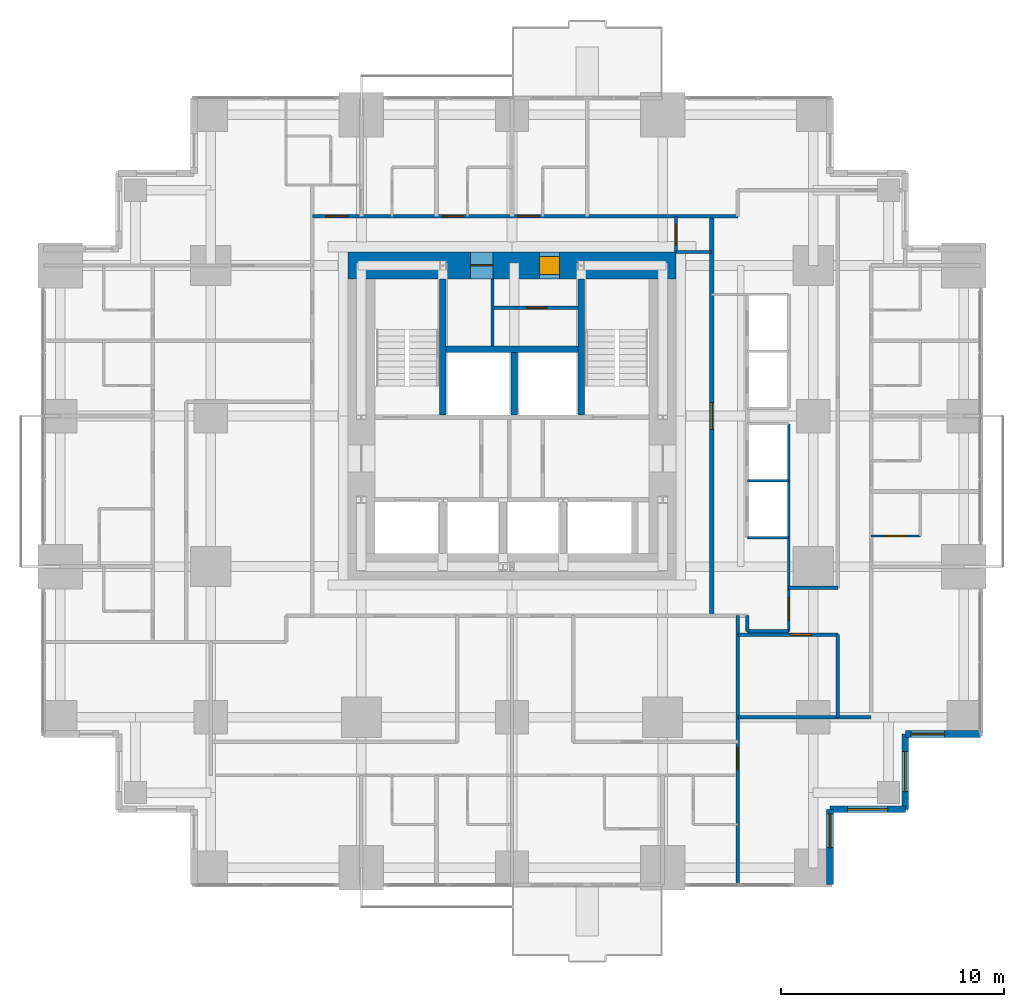
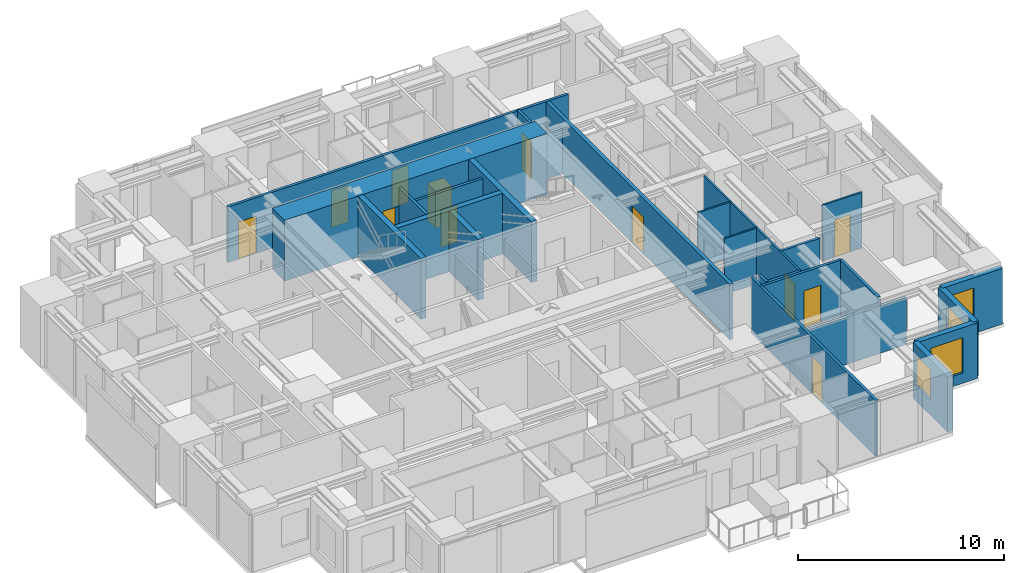
# One storey, part 9 of 12: 26 walls, 12 doors, 4 windows, 16 openings.
"""IFC4 building model written with IfcOpenShell, lengths in metres."""

from ifc_helpers import new_model, si_unit, direction, frame, frame_2d, origin, place, context, subcontext, project, spatial, rectangle, extrude, material, layer, layer_set, type_object, element, fill, save


model = new_model("IFC4")

# Units and contexts
model_context = context("Model", 3, precision=1e-05, world=origin(), true_north=direction((0.0, 1.0)))
body_context = subcontext(model_context, "Body", "Model", "MODEL_VIEW")
ifc_project = project(units=[si_unit("LENGTHUNIT", "METRE"), si_unit("AREAUNIT", "SQUARE_METRE"), si_unit("VOLUMEUNIT", "CUBIC_METRE"), si_unit("PLANEANGLEUNIT", "RADIAN"), si_unit("MASSUNIT", "GRAM", prefix="KILO")], contexts=[model_context])

# Site, building, storey
site_placement = place(None, origin())
site = spatial("IfcSite", under=ifc_project, at=site_placement, CompositionType="ELEMENT")
building_placement = place(site_placement, origin())
building = spatial("IfcBuilding", under=site, at=building_placement, Name="Nyansa Garden Tower", CompositionType="ELEMENT")
storey_placement = place(building_placement, frame((0.0, 0.0, 134.10009765625)))
storey = spatial("IfcBuildingStorey", under=building, at=storey_placement, Name="L36", CompositionType="ELEMENT", Elevation=134.10009765625)

# Walls
ifc_material_1 = material(Name="Concrete C70/85", Category="concrete")
ifc_layer_1 = layer(ifc_material_1, 0.300048828125)
ifc_layer_set_1 = layer_set([ifc_layer_1], Name="Core inner wall CI300")
wall_type_1 = type_object("IfcWallType", Name="Core inner wall CI300", PredefinedType="SHEAR", material=ifc_layer_set_1)
for number, where, z_axis, x_axis, name in (
    (1, (17.14990234375, 20.300048828125, 0.0), (0.0, 0.0, 1.0), (0.0, 1.0, 0.0), "Core inner wall L36"),
    (2, (23.35009765625, 20.300048828125, 0.0), (0.0, 0.0, 1.0), (0.0, 1.0, 0.0), "Core inner wall L36"),
):
    element("IfcWall", number, at=place(storey_placement, frame(where, z_axis=z_axis, x_axis=x_axis)), inside=storey, type_object=wall_type_1, Name=name, PredefinedType="SHEAR", context=body_context, shape_type="SweptSolid", body=[
        extrude(rectangle(XDim=6.099853515625, YDim=0.300048828125, at=frame_2d((3.0498046875, 0.0))), origin(), (0.0, 0.0, 1.0), 3.599853515625),
    ])
wall_1_placement = place(storey_placement, frame((20.35009765625, 20.300048828125, 0.0), z_axis=(0.0, 0.0, 1.0), x_axis=(0.0, 1.0, 0.0)))
element("IfcWall", 3, at=wall_1_placement, inside=storey, type_object=wall_type_1, Name="Core inner wall L36", PredefinedType="SHEAR", context=body_context, shape_type="SweptSolid", body=[
    extrude(rectangle(XDim=2.800048828125, YDim=0.300048828125, at=frame_2d((1.39990234375, 0.0))), origin(), (0.0, 0.0, 1.0), 3.599853515625),
])
wall_2_placement = place(storey_placement, frame((17.300048828125, 23.25, 0.0), z_axis=(0.0, 0.0, 1.0), x_axis=(1.0, 0.0, 0.0)))
element("IfcWall", 4, at=wall_2_placement, inside=storey, type_object=wall_type_1, Name="Core inner wall L36", PredefinedType="SHEAR", context=body_context, shape_type="SweptSolid", body=[
    extrude(rectangle(XDim=5.89990234375, YDim=0.300048828125, at=frame_2d((2.949951171875, 0.0))), origin(), (0.0, 0.0, 1.0), 3.599853515625),
])

# Wall, openings, doors
ifc_material_2 = material(Name="Concrete C80/95", Category="concrete")
ifc_layer_2 = layer(ifc_material_2, 1.199951171875)
ifc_layer_set_2 = layer_set([ifc_layer_2], Name="Core wall CW1200")
wall_type_2 = type_object("IfcWallType", Name="Core wall CW1200", PredefinedType="SHEAR", material=ifc_layer_set_2)
wall_3_placement = place(storey_placement, frame((27.60009765625, 27.0, 0.0), z_axis=(0.0, 0.0, 1.0), x_axis=(-1.0, 0.0, 0.0)))
wall_3 = element("IfcWall", 5, at=wall_3_placement, inside=storey, type_object=wall_type_2, Name="Core wall N L36", PredefinedType="SHEAR", context=body_context, shape_type="SweptSolid", body=[
    extrude(rectangle(XDim=14.7001953125, YDim=1.199951171875, at=frame_2d((7.35009765625, 0.0))), origin(), (0.0, 0.0, 1.0), 3.599853515625),
])
opening_1_placement = place(wall_3_placement, frame((5.22509765625, 0.0, 0.0)))
opening_1 = element("IfcOpeningElement", 6, at=opening_1_placement, cuts=wall_3, Name="Opening D15", PredefinedType="OPENING", context=body_context, shape_type="SweptSolid", body=[
    extrude(rectangle(XDim=0.89990234375, YDim=2.199951171875, at=frame_2d((0.449951171875, 1.10009765625))), frame((0.0, 0.60986328125, 0.0), z_axis=(0.0, -1.0, 0.0), x_axis=(1.0, 0.0, 0.0)), (0.0, 0.0, 1.0), 1.219970703125),
])
opening_2_placement = place(wall_3_placement, frame((8.199951171875, 0.0, 0.0)))
opening_2 = element("IfcOpeningElement", 7, at=opening_2_placement, cuts=wall_3, Name="Opening D07", PredefinedType="OPENING", context=body_context, shape_type="SweptSolid", body=[
    extrude(rectangle(XDim=1.0, YDim=2.199951171875, at=frame_2d((0.5, 1.10009765625))), frame((0.0, 0.60986328125, 0.0), z_axis=(0.0, -1.0, 0.0), x_axis=(1.0, 0.0, 0.0)), (0.0, 0.0, 1.0), 1.219970703125),
])
ifc_material_3 = material(Name="Timber flush door, 60 minute fire resisting, self-closing", Category="wood")
door_type_1 = type_object("IfcDoorType", Name="Core room door D15 900x2200", OperationType="SINGLE_SWING_LEFT", PredefinedType="DOOR", material=ifc_material_3)
door_1_placement = place(opening_1_placement, origin())
door_1 = element("IfcDoor", 8, at=door_1_placement, inside=storey, type_object=door_type_1, Name="Core room door", OperationType="SINGLE_SWING_LEFT", OverallHeight=2.199951171875, OverallWidth=0.89990234375, PredefinedType="DOOR", context=body_context, shape_type="SweptSolid", body=[
    extrude(rectangle(XDim=0.89990234375, YDim=2.199951171875, at=frame_2d((0.449951171875, 1.10009765625))), frame((0.0, 0.39990234375, 0.0), z_axis=(0.0, -1.0, 0.0), x_axis=(1.0, 0.0, 0.0)), (0.0, 0.0, 1.0), 0.800048828125),
])
fill(opening_1, door_1)
ifc_material_4 = material(Name="Steel door, 120 minute fire resisting", Category="steel")
door_type_2 = type_object("IfcDoorType", Name="Riser door D07 1000x2200", OperationType="SINGLE_SWING_LEFT", PredefinedType="DOOR", material=ifc_material_4)
door_2_placement = place(opening_2_placement, origin())
door_2 = element("IfcDoor", 9, at=door_2_placement, inside=storey, type_object=door_type_2, Name="Riser and refuse room door", OperationType="SINGLE_SWING_LEFT", OverallHeight=2.199951171875, OverallWidth=1.0, PredefinedType="DOOR", context=body_context, shape_type="SweptSolid", body=[
    extrude(rectangle(XDim=1.0, YDim=2.199951171875, at=frame_2d((0.5, 1.10009765625))), frame((0.0, 0.02490234375, 0.0), z_axis=(0.0, -1.0, 0.0), x_axis=(1.0, 0.0, 0.0)), (0.0, 0.0, 1.0), 0.050048828125),
])
fill(opening_2, door_2)

# Wall, opening, door
ifc_material_5 = material(Name="Concrete blockwork, plastered, 60 minute fire resisting", Category="masonry")
ifc_layer_3 = layer(ifc_material_5, 0.199951171875)
ifc_layer_set_3 = layer_set([ifc_layer_3], Name="Corridor wall FW200")
wall_type_3 = type_object("IfcWallType", Name="Corridor wall FW200", PredefinedType="PARTITIONING", material=ifc_layer_set_3)
wall_4_placement = place(storey_placement, frame((29.199951171875, 11.300048828125, 0.0), z_axis=(0.0, 0.0, 1.0), x_axis=(0.0, 1.0, 0.0)))
wall_4 = element("IfcWall", 10, at=wall_4_placement, inside=storey, type_object=wall_type_3, Name="Corridor wall", PredefinedType="PARTITIONING", context=body_context, shape_type="SweptSolid", body=[
    extrude(rectangle(XDim=17.89990234375, YDim=0.199951171875, at=frame_2d((8.949951171875, 0.0))), origin(), (0.0, 0.0, 1.0), 3.2998046875),
])
opening_3_placement = place(wall_4_placement, frame((8.35009765625, 0.0, 0.0)))
opening_3 = element("IfcOpeningElement", 11, at=opening_3_placement, cuts=wall_4, Name="Opening D06", PredefinedType="OPENING", context=body_context, shape_type="SweptSolid", body=[
    extrude(rectangle(XDim=1.199951171875, YDim=2.199951171875, at=frame_2d((0.60009765625, 1.10009765625))), frame((0.0, 0.10986328125, 0.0), z_axis=(0.0, -1.0, 0.0), x_axis=(1.0, 0.0, 0.0)), (0.0, 0.0, 1.0), 0.219970703125),
])
ifc_material_6 = material(Name="Steel door, 120 minute fire resisting", Category="steel")
door_type_3 = type_object("IfcDoorType", Name="Lobby door D06 1200x2200", OperationType="DOUBLE_DOOR_SINGLE_SWING", PredefinedType="DOOR", material=ifc_material_6)
door_3_placement = place(opening_3_placement, origin())
door_3 = element("IfcDoor", 12, at=door_3_placement, inside=storey, type_object=door_type_3, Name="Low-rise lift lobby door", OperationType="DOUBLE_DOOR_SINGLE_SWING", OverallHeight=2.199951171875, OverallWidth=1.199951171875, PredefinedType="DOOR", context=body_context, shape_type="SweptSolid", body=[
    extrude(rectangle(XDim=1.199951171875, YDim=2.199951171875, at=frame_2d((0.60009765625, 1.10009765625))), frame((0.0, 0.02490234375, 0.0), z_axis=(0.0, -1.0, 0.0), x_axis=(1.0, 0.0, 0.0)), (0.0, 0.0, 1.0), 0.050048828125),
])
fill(opening_3, door_3)

# Walls
ifc_material_7 = material(Name="Steel-stud shaft wall, two layers fire-rated board, EI 120", Category="steel")
ifc_layer_4 = layer(ifc_material_7, 0.10009765625)
ifc_layer_set_4 = layer_set([ifc_layer_4], Name="Lift shaft wall SW100")
wall_type_4 = type_object("IfcWallType", Name="Lift shaft wall SW100", PredefinedType="SHEAR", material=ifc_layer_set_4)
for number, where, z_axis, x_axis, name in (
    (13, (30.800048828125, 14.800048828125, 0.0), (0.0, 0.0, 1.0), (1.0, 0.0, 0.0), "Lift shaft wall"),
    (14, (30.800048828125, 17.35009765625, 0.0), (0.0, 0.0, 1.0), (1.0, 0.0, 0.0), "Lift shaft wall"),
):
    element("IfcWall", number, at=place(storey_placement, frame(where, z_axis=z_axis, x_axis=x_axis)), inside=storey, type_object=wall_type_4, Name=name, PredefinedType="SHEAR", context=body_context, shape_type="SweptSolid", body=[
        extrude(rectangle(XDim=1.849853515625, YDim=0.10009765625, at=frame_2d((0.9248046875, 0.0))), origin(), (0.0, 0.0, 1.0), 3.2998046875),
    ])

# Wall, opening, door
wall_5_placement = place(storey_placement, frame((32.64990234375, 10.60009765625, 0.0), z_axis=(0.0, 0.0, 1.0), x_axis=(0.0, 1.0, 0.0)))
wall_5 = element("IfcWall", 15, at=wall_5_placement, inside=storey, type_object=wall_type_4, Name="Lift shaft wall", PredefinedType="SHEAR", context=body_context, shape_type="SweptSolid", body=[
    extrude(rectangle(XDim=9.2998046875, YDim=0.10009765625, at=frame_2d((4.64990234375, 0.0))), origin(), (0.0, 0.0, 1.0), 3.2998046875),
])
opening_4_placement = place(wall_5_placement, frame((0.5, 0.0, 0.0)))
opening_4 = element("IfcOpeningElement", 16, at=opening_4_placement, cuts=wall_5, Name="Opening D03", PredefinedType="OPENING", context=body_context, shape_type="SweptSolid", body=[
    extrude(rectangle(XDim=1.0, YDim=2.199951171875, at=frame_2d((0.5, 1.10009765625))), frame((0.0, 0.06005859375, 0.0), z_axis=(0.0, -1.0, 0.0), x_axis=(1.0, 0.0, 0.0)), (0.0, 0.0, 1.0), 0.1201171875),
])
ifc_material_8 = material(Name="Timber flush door, 60 minute fire resisting", Category="wood")
door_type_4 = type_object("IfcDoorType", Name="Cluster entrance door D03 1000x2200", OperationType="SINGLE_SWING_LEFT", PredefinedType="DOOR", material=ifc_material_8)
door_4_placement = place(opening_4_placement, origin())
door_4 = element("IfcDoor", 17, at=door_4_placement, inside=storey, type_object=door_type_4, Name="Door L36-041", OperationType="SINGLE_SWING_LEFT", OverallHeight=2.199951171875, OverallWidth=1.0, PredefinedType="DOOR", context=body_context, shape_type="SweptSolid", body=[
    extrude(rectangle(XDim=1.0, YDim=2.199951171875, at=frame_2d((0.5, 1.10009765625))), frame((0.0, 0.02490234375, 0.0), z_axis=(0.0, -1.0, 0.0), x_axis=(1.0, 0.0, 0.0)), (0.0, 0.0, 1.0), 0.050048828125),
])
fill(opening_4, door_4)

# Wall
ifc_material_9 = material(Name="Blockwork, plastered both sides", Category="masonry")
ifc_layer_5 = layer(ifc_material_9, 0.14990234375)
ifc_layer_set_5 = layer_set([ifc_layer_5], Name="Partition PW150")
wall_type_5 = type_object("IfcWallType", Name="Partition PW150", PredefinedType="PARTITIONING", material=ifc_layer_set_5)
wall_6_placement = place(storey_placement, frame((19.375, 23.39990234375, 0.0), z_axis=(0.0, 0.0, 1.0), x_axis=(0.0, 1.0, 0.0)))
element("IfcWall", 18, at=wall_6_placement, inside=storey, type_object=wall_type_5, Name="Partition", PredefinedType="PARTITIONING", context=body_context, shape_type="SweptSolid", body=[
    extrude(rectangle(XDim=3.0, YDim=0.14990234375, at=frame_2d((1.5, 0.0))), origin(), (0.0, 0.0, 1.0), 3.2998046875),
])

# Wall, opening, door
wall_7_placement = place(storey_placement, frame((19.449951171875, 25.10009765625, 0.0), z_axis=(0.0, 0.0, 1.0), x_axis=(1.0, 0.0, 0.0)))
wall_7 = element("IfcWall", 19, at=wall_7_placement, inside=storey, type_object=wall_type_5, Name="Partition", PredefinedType="PARTITIONING", context=body_context, shape_type="SweptSolid", body=[
    extrude(rectangle(XDim=3.75, YDim=0.14990234375, at=frame_2d((1.875, 0.0))), origin(), (0.0, 0.0, 1.0), 3.2998046875),
])
opening_5_placement = place(wall_7_placement, frame((1.449951171875, 0.0, 0.0)))
opening_5 = element("IfcOpeningElement", 20, at=opening_5_placement, cuts=wall_7, Name="Opening D02", PredefinedType="OPENING", context=body_context, shape_type="SweptSolid", body=[
    extrude(rectangle(XDim=0.89990234375, YDim=2.199951171875, at=frame_2d((0.449951171875, 1.10009765625))), frame((0.0, 0.0849609375, 0.0), z_axis=(0.0, -1.0, 0.0), x_axis=(1.0, 0.0, 0.0)), (0.0, 0.0, 1.0), 0.169921875),
])
ifc_material_10 = material(Name="Timber flush door", Category="wood")
door_type_5 = type_object("IfcDoorType", Name="En-suite door D02 900x2200", OperationType="SINGLE_SWING_RIGHT", PredefinedType="DOOR", material=ifc_material_10)
door_5_placement = place(opening_5_placement, origin())
door_5 = element("IfcDoor", 21, at=door_5_placement, inside=storey, type_object=door_type_5, Name="Staff WC door", OperationType="SINGLE_SWING_RIGHT", OverallHeight=2.199951171875, OverallWidth=0.89990234375, PredefinedType="DOOR", context=body_context, shape_type="SweptSolid", body=[
    extrude(rectangle(XDim=0.89990234375, YDim=2.199951171875, at=frame_2d((0.449951171875, 1.10009765625))), frame((0.0, 0.02490234375, 0.0), z_axis=(0.0, -1.0, 0.0), x_axis=(1.0, 0.0, 0.0)), (0.0, 0.0, 1.0), 0.050048828125),
])
fill(opening_5, door_5)

# Wall, openings, doors
wall_8_placement = place(storey_placement, frame((11.300048828125, 29.199951171875, 0.0), z_axis=(0.0, 0.0, 1.0), x_axis=(1.0, 0.0, 0.0)))
wall_8 = element("IfcWall", 22, at=wall_8_placement, inside=storey, type_object=wall_type_5, Name="Partition", PredefinedType="PARTITIONING", context=body_context, shape_type="SweptSolid", body=[
    extrude(rectangle(XDim=19.074951171875, YDim=0.14990234375, at=frame_2d((9.53759765625, 0.0))), origin(), (0.0, 0.0, 1.0), 3.2998046875),
])
opening_6_placement = place(wall_8_placement, frame((5.824951171875, 0.0, 0.0)))
opening_6 = element("IfcOpeningElement", 23, at=opening_6_placement, cuts=wall_8, Name="Opening D14", PredefinedType="OPENING", context=body_context, shape_type="SweptSolid", body=[
    extrude(rectangle(XDim=0.949951171875, YDim=2.199951171875, at=frame_2d((0.47509765625, 1.10009765625))), frame((0.0, 0.0849609375, 0.0), z_axis=(0.0, -1.0, 0.0), x_axis=(1.0, 0.0, 0.0)), (0.0, 0.0, 1.0), 0.169921875),
])
opening_7_placement = place(wall_8_placement, frame((9.199951171875, 0.0, 0.0)))
opening_7 = element("IfcOpeningElement", 24, at=opening_7_placement, cuts=wall_8, Name="Opening D14", PredefinedType="OPENING", context=body_context, shape_type="SweptSolid", body=[
    extrude(rectangle(XDim=0.949951171875, YDim=2.199951171875, at=frame_2d((0.47509765625, 1.10009765625))), frame((0.0, 0.0849609375, 0.0), z_axis=(0.0, -1.0, 0.0), x_axis=(1.0, 0.0, 0.0)), (0.0, 0.0, 1.0), 0.169921875),
])
opening_8_placement = place(wall_8_placement, frame((0.60009765625, 0.0, 0.0)))
opening_8 = element("IfcOpeningElement", 25, at=opening_8_placement, cuts=wall_8, Name="Opening D03", PredefinedType="OPENING", context=body_context, shape_type="SweptSolid", body=[
    extrude(rectangle(XDim=1.0, YDim=2.199951171875, at=frame_2d((0.5, 1.10009765625))), frame((0.0, 0.0849609375, 0.0), z_axis=(0.0, -1.0, 0.0), x_axis=(1.0, 0.0, 0.0)), (0.0, 0.0, 1.0), 0.169921875),
])
door_6_placement = place(opening_8_placement, origin())
door_6 = element("IfcDoor", 26, at=door_6_placement, inside=storey, type_object=door_type_4, Name="Door L36-053", OperationType="SINGLE_SWING_LEFT", OverallHeight=2.199951171875, OverallWidth=1.0, PredefinedType="DOOR", context=body_context, shape_type="SweptSolid", body=[
    extrude(rectangle(XDim=1.0, YDim=2.199951171875, at=frame_2d((0.5, 1.10009765625))), frame((0.0, 0.02490234375, 0.0), z_axis=(0.0, -1.0, 0.0), x_axis=(1.0, 0.0, 0.0)), (0.0, 0.0, 1.0), 0.050048828125),
])
fill(opening_8, door_6)
ifc_material_11 = material(Name="Timber flush door, 60 minute fire resisting, self-closing", Category="wood")
door_type_6 = type_object("IfcDoorType", Name="Studio entrance door D14 950x2200", OperationType="SINGLE_SWING_LEFT", PredefinedType="DOOR", material=ifc_material_11)
door_7_placement = place(opening_6_placement, origin())
door_7 = element("IfcDoor", 27, at=door_7_placement, inside=storey, type_object=door_type_6, Name="Door L36-049", OperationType="SINGLE_SWING_LEFT", OverallHeight=2.199951171875, OverallWidth=0.949951171875, PredefinedType="DOOR", context=body_context, shape_type="SweptSolid", body=[
    extrude(rectangle(XDim=0.949951171875, YDim=2.199951171875, at=frame_2d((0.47509765625, 1.10009765625))), frame((0.0, 0.02490234375, 0.0), z_axis=(0.0, -1.0, 0.0), x_axis=(1.0, 0.0, 0.0)), (0.0, 0.0, 1.0), 0.050048828125),
])
fill(opening_6, door_7)
door_8_placement = place(opening_7_placement, origin())
door_8 = element("IfcDoor", 28, at=door_8_placement, inside=storey, type_object=door_type_6, Name="Door L36-051", OperationType="SINGLE_SWING_LEFT", OverallHeight=2.199951171875, OverallWidth=0.949951171875, PredefinedType="DOOR", context=body_context, shape_type="SweptSolid", body=[
    extrude(rectangle(XDim=0.949951171875, YDim=2.199951171875, at=frame_2d((0.47509765625, 1.10009765625))), frame((0.0, 0.02490234375, 0.0), z_axis=(0.0, -1.0, 0.0), x_axis=(1.0, 0.0, 0.0)), (0.0, 0.0, 1.0), 0.050048828125),
])
fill(opening_7, door_8)

# Wall, opening, door
wall_9_placement = place(storey_placement, frame((27.60009765625, 27.60009765625, 0.0), z_axis=(0.0, 0.0, 1.0), x_axis=(0.0, 1.0, 0.0)))
wall_9 = element("IfcWall", 29, at=wall_9_placement, inside=storey, type_object=wall_type_5, Name="Partition", PredefinedType="PARTITIONING", context=body_context, shape_type="SweptSolid", body=[
    extrude(rectangle(XDim=1.599853515625, YDim=0.14990234375, at=frame_2d((0.7998046875, 0.0))), origin(), (0.0, 0.0, 1.0), 3.2998046875),
])
opening_9_placement = place(wall_9_placement, frame((0.300048828125, 0.0, 0.0)))
opening_9 = element("IfcOpeningElement", 30, at=opening_9_placement, cuts=wall_9, Name="Opening D01", PredefinedType="OPENING", context=body_context, shape_type="SweptSolid", body=[
    extrude(rectangle(XDim=0.949951171875, YDim=2.199951171875, at=frame_2d((0.47509765625, 1.10009765625))), frame((0.0, 0.0849609375, 0.0), z_axis=(0.0, -1.0, 0.0), x_axis=(1.0, 0.0, 0.0)), (0.0, 0.0, 1.0), 0.169921875),
])
ifc_material_12 = material(Name="Timber flush door, 30 minute fire resisting", Category="wood")
door_type_7 = type_object("IfcDoorType", Name="Bedroom door D01 950x2200", OperationType="SINGLE_SWING_LEFT", PredefinedType="DOOR", material=ifc_material_12)
door_9_placement = place(opening_9_placement, origin())
door_9 = element("IfcDoor", 31, at=door_9_placement, inside=storey, type_object=door_type_7, Name="Door L36-018", OperationType="SINGLE_SWING_LEFT", OverallHeight=2.199951171875, OverallWidth=0.949951171875, PredefinedType="DOOR", context=body_context, shape_type="SweptSolid", body=[
    extrude(rectangle(XDim=0.949951171875, YDim=2.199951171875, at=frame_2d((0.47509765625, 1.10009765625))), frame((0.0, 0.02490234375, 0.0), z_axis=(0.0, -1.0, 0.0), x_axis=(1.0, 0.0, 0.0)), (0.0, 0.0, 1.0), 0.050048828125),
])
fill(opening_9, door_9)

# Wall
wall_10_placement = place(storey_placement, frame((27.60009765625, 27.60009765625, 0.0), z_axis=(0.0, 0.0, 1.0), x_axis=(1.0, 0.0, 0.0)))
element("IfcWall", 32, at=wall_10_placement, inside=storey, type_object=wall_type_5, Name="Partition", PredefinedType="PARTITIONING", context=body_context, shape_type="SweptSolid", body=[
    extrude(rectangle(XDim=1.599853515625, YDim=0.14990234375, at=frame_2d((0.7998046875, 0.0))), origin(), (0.0, 0.0, 1.0), 2.699951171875),
])

# Wall, opening, door
wall_11_placement = place(storey_placement, frame((30.375, -0.73388671875, 0.0), z_axis=(0.0, 0.0, 1.0), x_axis=(0.0, 1.0, 0.0)))
wall_11 = element("IfcWall", 33, at=wall_11_placement, inside=storey, type_object=wall_type_5, Name="Partition", PredefinedType="PARTITIONING", context=body_context, shape_type="SweptSolid", body=[
    extrude(rectangle(XDim=12.033935546875, YDim=0.14990234375, at=frame_2d((6.01708984375, 0.0))), origin(), (0.0, 0.0, 1.0), 3.2998046875),
])
opening_10_placement = place(wall_11_placement, frame((5.134033203125, 0.0, 0.0)))
opening_10 = element("IfcOpeningElement", 34, at=opening_10_placement, cuts=wall_11, Name="Opening D03", PredefinedType="OPENING", context=body_context, shape_type="SweptSolid", body=[
    extrude(rectangle(XDim=1.0, YDim=2.199951171875, at=frame_2d((0.5, 1.10009765625))), frame((0.0, 0.0849609375, 0.0), z_axis=(0.0, -1.0, 0.0), x_axis=(1.0, 0.0, 0.0)), (0.0, 0.0, 1.0), 0.169921875),
])
door_10_placement = place(opening_10_placement, origin())
door_10 = element("IfcDoor", 35, at=door_10_placement, inside=storey, type_object=door_type_4, Name="Door L36-032", OperationType="SINGLE_SWING_LEFT", OverallHeight=2.199951171875, OverallWidth=1.0, PredefinedType="DOOR", context=body_context, shape_type="SweptSolid", body=[
    extrude(rectangle(XDim=1.0, YDim=2.199951171875, at=frame_2d((0.5, 1.10009765625))), frame((0.0, 0.02490234375, 0.0), z_axis=(0.0, -1.0, 0.0), x_axis=(1.0, 0.0, 0.0)), (0.0, 0.0, 1.0), 0.050048828125),
])
fill(opening_10, door_10)

# Wall
wall_12_placement = place(storey_placement, frame((30.375, 6.75, 0.0), z_axis=(0.0, 0.0, 1.0), x_axis=(1.0, 0.0, 0.0)))
element("IfcWall", 36, at=wall_12_placement, inside=storey, type_object=wall_type_5, Name="Partition", PredefinedType="PARTITIONING", context=body_context, shape_type="SweptSolid", body=[
    extrude(rectangle(XDim=5.97509765625, YDim=0.14990234375, at=frame_2d((2.987548828125, 0.0))), origin(), (0.0, 0.0, 1.0), 2.802001953125),
])

# Wall, opening, door
wall_13_placement = place(storey_placement, frame((30.375, 10.449951171875, 0.0), z_axis=(0.0, 0.0, 1.0), x_axis=(1.0, 0.0, 0.0)))
wall_13 = element("IfcWall", 37, at=wall_13_placement, inside=storey, type_object=wall_type_5, Name="Partition", PredefinedType="PARTITIONING", context=body_context, shape_type="SweptSolid", body=[
    extrude(rectangle(XDim=4.47509765625, YDim=0.14990234375, at=frame_2d((2.237548828125, 0.0))), origin(), (0.0, 0.0, 1.0), 3.2998046875),
])
opening_11_placement = place(wall_13_placement, frame((2.35009765625, 0.0, 0.0)))
opening_11 = element("IfcOpeningElement", 38, at=opening_11_placement, cuts=wall_13, Name="Opening D01", PredefinedType="OPENING", context=body_context, shape_type="SweptSolid", body=[
    extrude(rectangle(XDim=0.949951171875, YDim=2.199951171875, at=frame_2d((0.47509765625, 1.10009765625))), frame((0.0, 0.0849609375, 0.0), z_axis=(0.0, -1.0, 0.0), x_axis=(1.0, 0.0, 0.0)), (0.0, 0.0, 1.0), 0.169921875),
])
door_11_placement = place(opening_11_placement, origin())
door_11 = element("IfcDoor", 39, at=door_11_placement, inside=storey, type_object=door_type_7, Name="Door L36-043", OperationType="SINGLE_SWING_LEFT", OverallHeight=2.199951171875, OverallWidth=0.949951171875, PredefinedType="DOOR", context=body_context, shape_type="SweptSolid", body=[
    extrude(rectangle(XDim=0.949951171875, YDim=2.199951171875, at=frame_2d((0.47509765625, 1.10009765625))), frame((0.0, 0.02490234375, 0.0), z_axis=(0.0, -1.0, 0.0), x_axis=(1.0, 0.0, 0.0)), (0.0, 0.0, 1.0), 0.050048828125),
])
fill(opening_11, door_11)

# Walls
wall_14_placement = place(storey_placement, frame((30.800048828125, 10.60009765625, 0.0), z_axis=(0.0, 0.0, 1.0), x_axis=(0.0, 1.0, 0.0)))
element("IfcWall", 40, at=wall_14_placement, inside=storey, type_object=wall_type_5, Name="Partition", PredefinedType="PARTITIONING", context=body_context, shape_type="SweptSolid", body=[
    extrude(rectangle(XDim=0.699951171875, YDim=0.14990234375, at=frame_2d((0.35009765625, 0.0))), origin(), (0.0, 0.0, 1.0), 3.2998046875),
])
wall_15_placement = place(storey_placement, frame((30.800048828125, 10.60009765625, 0.0), z_axis=(0.0, 0.0, 1.0), x_axis=(1.0, 0.0, 0.0)))
element("IfcWall", 41, at=wall_15_placement, inside=storey, type_object=wall_type_5, Name="Partition", PredefinedType="PARTITIONING", context=body_context, shape_type="SweptSolid", body=[
    extrude(rectangle(XDim=1.849853515625, YDim=0.14990234375, at=frame_2d((0.9248046875, 0.0))), origin(), (0.0, 0.0, 1.0), 3.2998046875),
])
wall_16_placement = place(storey_placement, frame((32.64990234375, 12.550048828125, 0.0), z_axis=(0.0, 0.0, 1.0), x_axis=(1.0, 0.0, 0.0)))
element("IfcWall", 42, at=wall_16_placement, inside=storey, type_object=wall_type_5, Name="Partition", PredefinedType="PARTITIONING", context=body_context, shape_type="SweptSolid", body=[
    extrude(rectangle(XDim=2.2001953125, YDim=0.14990234375, at=frame_2d((1.10009765625, 0.0))), origin(), (0.0, 0.0, 1.0), 3.2998046875),
])
wall_17_placement = place(storey_placement, frame((34.85009765625, 6.75, 0.0), z_axis=(0.0, 0.0, 1.0), x_axis=(0.0, 1.0, 0.0)))
element("IfcWall", 43, at=wall_17_placement, inside=storey, type_object=wall_type_5, Name="Partition", PredefinedType="PARTITIONING", context=body_context, shape_type="SweptSolid", body=[
    extrude(rectangle(XDim=3.699951171875, YDim=0.14990234375, at=frame_2d((1.85009765625, 0.0))), origin(), (0.0, 0.0, 1.0), 3.2998046875),
])

# Wall, opening, window
ifc_material_13 = material(Name="Turquoise glazed tile on concrete blockwork", Category="masonry")
ifc_layer_6 = layer(ifc_material_13, 0.300048828125)
ifc_layer_set_6 = layer_set([ifc_layer_6], Name="Tiled corner wall TW300")
wall_type_6 = type_object("IfcWallType", Name="Tiled corner wall TW300", PredefinedType="SOLIDWALL", material=ifc_layer_set_6)
wall_18_placement = place(storey_placement, frame((34.5, -0.75, 0.0), z_axis=(0.0, 0.0, 1.0), x_axis=(0.0, 1.0, 0.0)))
wall_18 = element("IfcWall", 44, at=wall_18_placement, inside=storey, type_object=wall_type_6, Name="Tiled corner wall L36", PredefinedType="SOLIDWALL", context=body_context, shape_type="SweptSolid", body=[
    extrude(rectangle(XDim=3.375, YDim=0.300048828125, at=frame_2d((1.6875, 0.0))), origin(), (0.0, 0.0, 1.0), 3.2998046875),
])
opening_12_placement = place(wall_18_placement, frame((1.657470703125, 0.0, 0.89990234375)))
opening_12 = element("IfcOpeningElement", 45, at=opening_12_placement, cuts=wall_18, Name="Opening W1", PredefinedType="OPENING", context=body_context, shape_type="SweptSolid", body=[
    extrude(rectangle(XDim=1.5, YDim=1.800048828125, at=frame_2d((0.75, 0.89990234375))), frame((0.0, 0.159912109375, 0.0), z_axis=(0.0, -1.0, 0.0), x_axis=(1.0, 0.0, 0.0)), (0.0, 0.0, 1.0), 0.320068359375),
])
ifc_material_14 = material(Name="Black aluminium frame, dark tinted double glazing", Category="aluminium")
window_type_1 = type_object("IfcWindowType", Name="Window W1 1500x1800", PartitioningType="SINGLE_PANEL", PredefinedType="WINDOW", material=ifc_material_14)
window_1_placement = place(opening_12_placement, origin())
window_1 = element("IfcWindow", 46, at=window_1_placement, inside=storey, type_object=window_type_1, Name="Corner window L36", OverallHeight=1.800048828125, OverallWidth=1.5, PartitioningType="SINGLE_PANEL", PredefinedType="WINDOW", context=body_context, shape_type="SweptSolid", body=[
    extrude(rectangle(XDim=1.5, YDim=1.800048828125, at=frame_2d((0.75, 0.89990234375))), frame((0.0, 0.030029296875, 0.0), z_axis=(0.0, -1.0, 0.0), x_axis=(1.0, 0.0, 0.0)), (0.0, 0.0, 1.0), 0.06005859375),
])
fill(opening_12, window_1)

wall_19_placement = place(storey_placement, frame((34.5, 2.625, 0.0), z_axis=(0.0, 0.0, 1.0), x_axis=(1.0, 0.0, 0.0)))
wall_19 = element("IfcWall", 47, at=wall_19_placement, inside=storey, type_object=wall_type_6, Name="Tiled corner wall L36", PredefinedType="SOLIDWALL", context=body_context, shape_type="SweptSolid", body=[
    extrude(rectangle(XDim=3.375, YDim=0.300048828125, at=frame_2d((1.6875, 0.0))), origin(), (0.0, 0.0, 1.0), 3.2998046875),
])
opening_13_placement = place(wall_19_placement, frame((0.78759765625, 0.0, 0.60009765625)))
opening_13 = element("IfcOpeningElement", 48, at=opening_13_placement, cuts=wall_19, Name="Opening W2", PredefinedType="OPENING", context=body_context, shape_type="SweptSolid", body=[
    extrude(rectangle(XDim=1.800048828125, YDim=2.10009765625, at=frame_2d((0.89990234375, 1.050048828125))), frame((0.0, 0.159912109375, 0.0), z_axis=(0.0, -1.0, 0.0), x_axis=(1.0, 0.0, 0.0)), (0.0, 0.0, 1.0), 0.320068359375),
])
ifc_material_15 = material(Name="Black aluminium frame, dark tinted double glazing", Category="aluminium")
window_type_2 = type_object("IfcWindowType", Name="Window W2 1800x2100", PartitioningType="SINGLE_PANEL", PredefinedType="WINDOW", material=ifc_material_15)
window_2_placement = place(opening_13_placement, origin())
window_2 = element("IfcWindow", 49, at=window_2_placement, inside=storey, type_object=window_type_2, Name="Corner window L36", OverallHeight=2.10009765625, OverallWidth=1.800048828125, PartitioningType="SINGLE_PANEL", PredefinedType="WINDOW", context=body_context, shape_type="SweptSolid", body=[
    extrude(rectangle(XDim=1.800048828125, YDim=2.10009765625, at=frame_2d((0.89990234375, 1.050048828125))), frame((0.0, 0.030029296875, 0.0), z_axis=(0.0, -1.0, 0.0), x_axis=(1.0, 0.0, 0.0)), (0.0, 0.0, 1.0), 0.06005859375),
])
fill(opening_13, window_2)

wall_20_placement = place(storey_placement, frame((37.875, 2.625, 0.0), z_axis=(0.0, 0.0, 1.0), x_axis=(0.0, 1.0, 0.0)))
wall_20 = element("IfcWall", 50, at=wall_20_placement, inside=storey, type_object=wall_type_6, Name="Tiled corner wall L36", PredefinedType="SOLIDWALL", context=body_context, shape_type="SweptSolid", body=[
    extrude(rectangle(XDim=3.375, YDim=0.300048828125, at=frame_2d((1.6875, 0.0))), origin(), (0.0, 0.0, 1.0), 3.2998046875),
])
opening_14_placement = place(wall_20_placement, frame((0.78759765625, 0.0, 0.60009765625)))
opening_14 = element("IfcOpeningElement", 51, at=opening_14_placement, cuts=wall_20, Name="Opening W2", PredefinedType="OPENING", context=body_context, shape_type="SweptSolid", body=[
    extrude(rectangle(XDim=1.800048828125, YDim=2.10009765625, at=frame_2d((0.89990234375, 1.050048828125))), frame((0.0, 0.159912109375, 0.0), z_axis=(0.0, -1.0, 0.0), x_axis=(1.0, 0.0, 0.0)), (0.0, 0.0, 1.0), 0.320068359375),
])
window_3_placement = place(opening_14_placement, origin())
window_3 = element("IfcWindow", 52, at=window_3_placement, inside=storey, type_object=window_type_2, Name="Corner window L36", OverallHeight=2.10009765625, OverallWidth=1.800048828125, PartitioningType="SINGLE_PANEL", PredefinedType="WINDOW", context=body_context, shape_type="SweptSolid", body=[
    extrude(rectangle(XDim=1.800048828125, YDim=2.10009765625, at=frame_2d((0.89990234375, 1.050048828125))), frame((0.0, 0.030029296875, 0.0), z_axis=(0.0, -1.0, 0.0), x_axis=(1.0, 0.0, 0.0)), (0.0, 0.0, 1.0), 0.06005859375),
])
fill(opening_14, window_3)

wall_21_placement = place(storey_placement, frame((37.875, 6.0, 0.0), z_axis=(0.0, 0.0, 1.0), x_axis=(1.0, 0.0, 0.0)))
wall_21 = element("IfcWall", 53, at=wall_21_placement, inside=storey, type_object=wall_type_6, Name="Tiled corner wall L36", PredefinedType="SOLIDWALL", context=body_context, shape_type="SweptSolid", body=[
    extrude(rectangle(XDim=3.375, YDim=0.300048828125, at=frame_2d((1.6875, 0.0))), origin(), (0.0, 0.0, 1.0), 3.2998046875),
])
opening_15_placement = place(wall_21_placement, frame((0.267578125, 0.0, 0.89990234375)))
opening_15 = element("IfcOpeningElement", 54, at=opening_15_placement, cuts=wall_21, Name="Opening W1", PredefinedType="OPENING", context=body_context, shape_type="SweptSolid", body=[
    extrude(rectangle(XDim=1.5, YDim=1.800048828125, at=frame_2d((0.75, 0.89990234375))), frame((0.0, 0.159912109375, 0.0), z_axis=(0.0, -1.0, 0.0), x_axis=(1.0, 0.0, 0.0)), (0.0, 0.0, 1.0), 0.320068359375),
])
window_4_placement = place(opening_15_placement, origin())
window_4 = element("IfcWindow", 55, at=window_4_placement, inside=storey, type_object=window_type_1, Name="Corner window L36", OverallHeight=1.800048828125, OverallWidth=1.5, PartitioningType="SINGLE_PANEL", PredefinedType="WINDOW", context=body_context, shape_type="SweptSolid", body=[
    extrude(rectangle(XDim=1.5, YDim=1.800048828125, at=frame_2d((0.75, 0.89990234375))), frame((0.0, 0.030029296875, 0.0), z_axis=(0.0, -1.0, 0.0), x_axis=(1.0, 0.0, 0.0)), (0.0, 0.0, 1.0), 0.06005859375),
])
fill(opening_15, window_4)

# Wall, opening, door
ifc_material_16 = material(Name="Moisture resistant board on steel studs, tiled", Category="steel")
ifc_layer_7 = layer(ifc_material_16, 0.10009765625)
ifc_layer_set_7 = layer_set([ifc_layer_7], Name="Wet wall PW100")
wall_type_7 = type_object("IfcWallType", Name="Wet wall PW100", PredefinedType="PARTITIONING", material=ifc_layer_set_7)
wall_22_placement = place(storey_placement, frame((36.35009765625, 14.875, 0.0), z_axis=(0.0, 0.0, 1.0), x_axis=(1.0, 0.0, 0.0)))
wall_22 = element("IfcWall", 56, at=wall_22_placement, inside=storey, type_object=wall_type_7, Name="Wet wall", PredefinedType="PARTITIONING", context=body_context, shape_type="SweptSolid", body=[
    extrude(rectangle(XDim=2.199951171875, YDim=0.10009765625, at=frame_2d((1.10009765625, 0.0))), origin(), (0.0, 0.0, 1.0), 3.2998046875),
])
opening_16_placement = place(wall_22_placement, frame((0.64990234375, 0.0, 0.0)))
opening_16 = element("IfcOpeningElement", 57, at=opening_16_placement, cuts=wall_22, Name="Opening D02", PredefinedType="OPENING", context=body_context, shape_type="SweptSolid", body=[
    extrude(rectangle(XDim=0.89990234375, YDim=2.199951171875, at=frame_2d((0.449951171875, 1.10009765625))), frame((0.0, 0.06005859375, 0.0), z_axis=(0.0, -1.0, 0.0), x_axis=(1.0, 0.0, 0.0)), (0.0, 0.0, 1.0), 0.1201171875),
])
door_12_placement = place(opening_16_placement, origin())
door_12 = element("IfcDoor", 58, at=door_12_placement, inside=storey, type_object=door_type_5, Name="Door L36-034", OperationType="SINGLE_SWING_RIGHT", OverallHeight=2.199951171875, OverallWidth=0.89990234375, PredefinedType="DOOR", context=body_context, shape_type="SweptSolid", body=[
    extrude(rectangle(XDim=0.89990234375, YDim=2.199951171875, at=frame_2d((0.449951171875, 1.10009765625))), frame((0.0, 0.02490234375, 0.0), z_axis=(0.0, -1.0, 0.0), x_axis=(1.0, 0.0, 0.0)), (0.0, 0.0, 1.0), 0.050048828125),
])
fill(opening_16, door_12)

save(model, "model.ifc")
